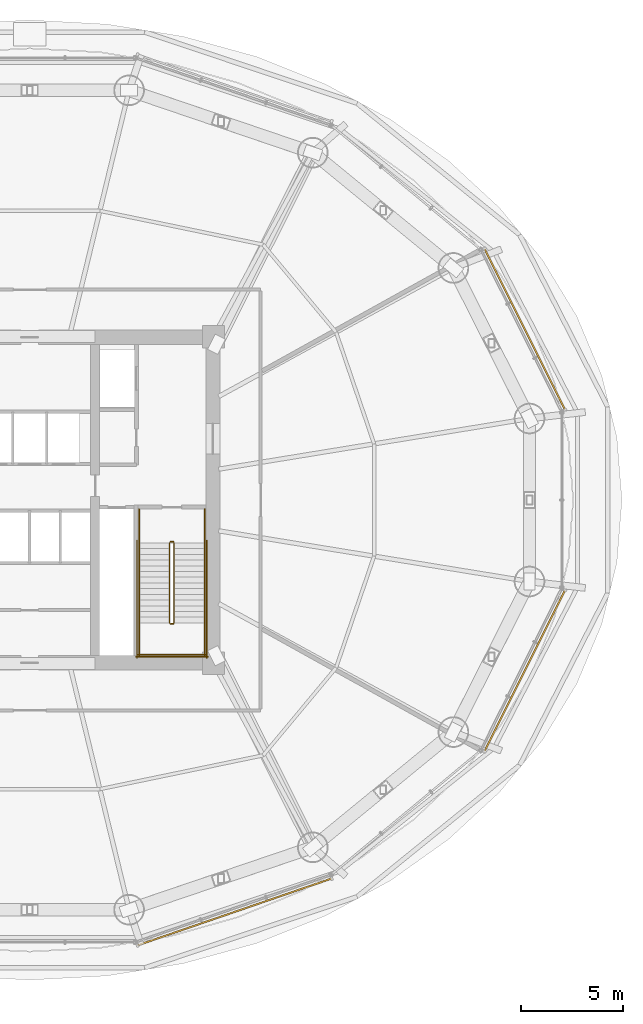
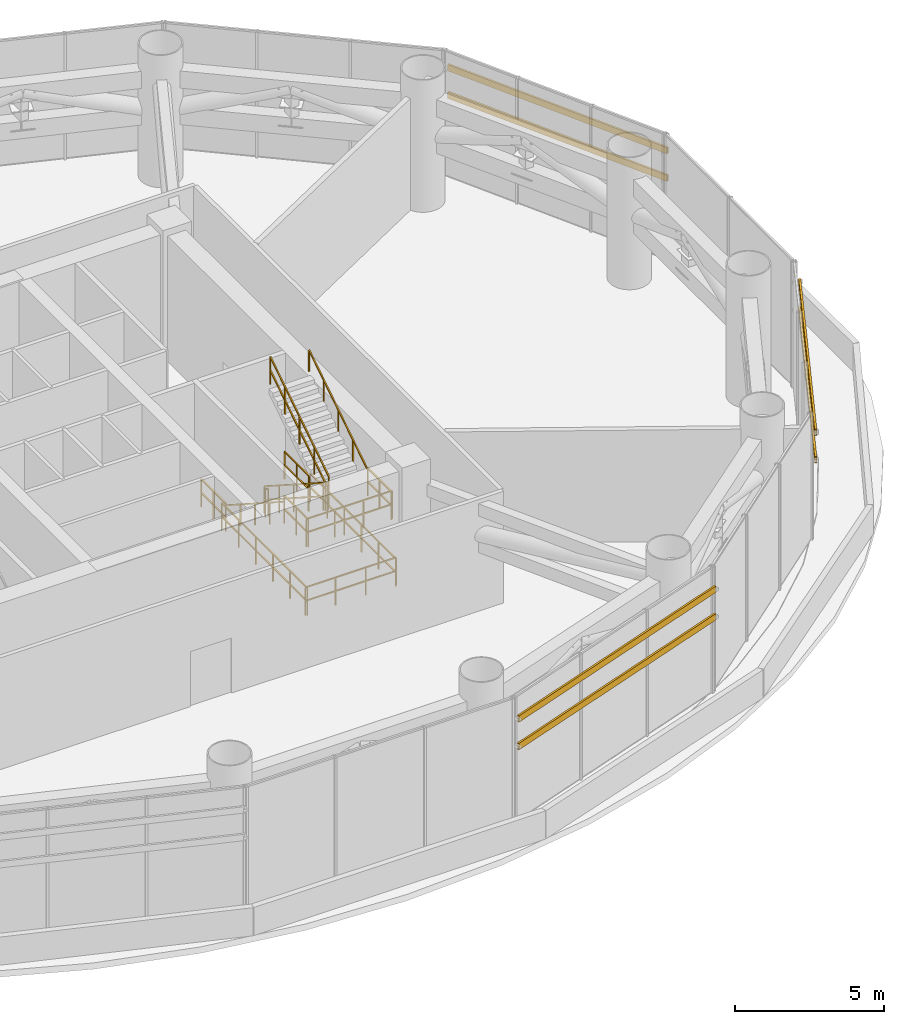
# One storey, part 32 of 33: 14 railings, 6 shading devices.
"""IFC4 building model written with IfcOpenShell, lengths in metres."""

from ifc_helpers import new_model, si_unit, direction, frame, origin, origin_2d, place, context, subcontext, project, spatial, rectangle, hollow_rectangle, extrude, source, transform, mapped, material, material_profile, profile_set, type_object, element, save


model = new_model("IFC4")

# Units and contexts
model_context = context("Model", 3, precision=1e-05, world=origin(), true_north=direction((-0.2419218956, 0.970295726276)))
body_context = subcontext(model_context, "Body", "Model", "MODEL_VIEW")
ifc_project = project(units=[si_unit("LENGTHUNIT", "METRE"), si_unit("AREAUNIT", "SQUARE_METRE"), si_unit("VOLUMEUNIT", "CUBIC_METRE"), si_unit("PLANEANGLEUNIT", "RADIAN"), si_unit("MASSUNIT", "GRAM", prefix="KILO")], contexts=[model_context])

# Site, building, storey
site_placement = place(None, origin())
site = spatial("IfcSite", under=ifc_project, at=site_placement, CompositionType="ELEMENT")
building_placement = place(site_placement, origin())
building = spatial("IfcBuilding", under=site, at=building_placement, Name="Cobrevalo Terracotta Tower", CompositionType="ELEMENT")
storey_placement = place(building_placement, frame((0.0, 0.0, 74.39990234375)))
storey = spatial("IfcBuildingStorey", under=building, at=storey_placement, Name="L19", CompositionType="ELEMENT", Elevation=74.39990234375)

# Railings
ifc_material_1 = material(Name="Brushed stainless steel", Category="steel")
railing_type_1 = type_object("IfcRailingType", Name="Stainless Steel Stair Handrail 900", PredefinedType="HANDRAIL", material=ifc_material_1)
railing_1_placement = place(storey_placement, frame((43.35498046875, 24.699951171875, 0.18017578125)))
element("IfcRailing", 1, at=railing_1_placement, inside=storey, type_object=railing_type_1, Name="L19 ST-2 stair handrail 1", PredefinedType="HANDRAIL", context=body_context, shape_type="SweptSolid", body=[
    extrude(rectangle(XDim=0.048095703125, YDim=0.048095703125, at=origin_2d()), frame((0.0, 0.0, 0.8759765625), z_axis=(0.0, -0.841171666519, 0.540768182723), x_axis=(1.0, 0.0, 0.0)), (0.0, 0.0, 1.0), 4.66015625),
    extrude(rectangle(XDim=0.0419921875, YDim=0.0419921875, at=origin_2d()), origin(), (0.0, 0.0, 1.0), 0.851806640625),
    extrude(rectangle(XDim=0.0419921875, YDim=0.0419921875, at=origin_2d()), frame((0.0, -0.97998046875, 0.6298828125)), (0.0, 0.0, 1.0), 0.851806640625),
    extrude(rectangle(XDim=0.0419921875, YDim=0.0419921875, at=origin_2d()), frame((0.0, -1.9599609375, 1.260009765625)), (0.0, 0.0, 1.0), 0.851806640625),
    extrude(rectangle(XDim=0.0419921875, YDim=0.0419921875, at=origin_2d()), frame((0.0, -2.93994140625, 1.89013671875)), (0.0, 0.0, 1.0), 0.851806640625),
    extrude(rectangle(XDim=0.0419921875, YDim=0.0419921875, at=origin_2d()), frame((0.0, -3.919921875, 2.52001953125)), (0.0, 0.0, 1.0), 0.851806640625),
])
railing_2_placement = place(storey_placement, frame((46.574951171875, 20.780029296875, 2.880126953125)))
element("IfcRailing", 2, at=railing_2_placement, inside=storey, type_object=railing_type_1, Name="L19 ST-2 stair handrail 2", PredefinedType="HANDRAIL", context=body_context, shape_type="SweptSolid", body=[
    extrude(rectangle(XDim=0.048095703125, YDim=0.048095703125, at=origin_2d()), frame((0.0, 0.0, 0.8759765625), z_axis=(0.0, 0.841171666519, 0.540768182723), x_axis=(-1.0, 0.0, 0.0)), (0.0, 0.0, 1.0), 4.66015625),
    extrude(rectangle(XDim=0.0419921875, YDim=0.0419921875, at=origin_2d()), origin(), (0.0, 0.0, 1.0), 0.851806640625),
    extrude(rectangle(XDim=0.0419921875, YDim=0.0419921875, at=origin_2d()), frame((0.0, 0.97998046875, 0.6298828125)), (0.0, 0.0, 1.0), 0.851806640625),
    extrude(rectangle(XDim=0.0419921875, YDim=0.0419921875, at=origin_2d()), frame((0.0, 1.9599609375, 1.260009765625)), (0.0, 0.0, 1.0), 0.851806640625),
    extrude(rectangle(XDim=0.0419921875, YDim=0.0419921875, at=origin_2d()), frame((0.0, 2.93994140625, 1.89013671875)), (0.0, 0.0, 1.0), 0.851806640625),
    extrude(rectangle(XDim=0.0419921875, YDim=0.0419921875, at=origin_2d()), frame((0.0, 3.919921875, 2.52001953125)), (0.0, 0.0, 1.0), 0.851806640625),
])
ifc_material_2 = material(Name="Painted galvanized steel", Category="steel")
railing_type_2 = type_object("IfcRailingType", Name="Stair Well Guard Balustrade 1150", PredefinedType="GUARDRAIL", material=ifc_material_2)
railing_3_placement = place(storey_placement, frame((44.85498046875, 24.699951171875, 0.18017578125)))
element("IfcRailing", 3, at=railing_3_placement, inside=storey, type_object=railing_type_2, Name="L19 ST-2 stair guard 1", PredefinedType="GUARDRAIL", context=body_context, shape_type="SweptSolid", body=[
    extrude(rectangle(XDim=0.048095703125, YDim=0.048095703125, at=origin_2d()), frame((0.0, 0.0, 1.1259765625), z_axis=(0.0, -0.841171666519, 0.540768182723), x_axis=(1.0, 0.0, 0.0)), (0.0, 0.0, 1.0), 4.66015625),
    extrude(rectangle(XDim=0.048095703125, YDim=0.048095703125, at=origin_2d()), frame((0.0, 0.0, 0.574951171875), z_axis=(0.0, -0.841171666519, 0.540768182723), x_axis=(1.0, 0.0, 0.0)), (0.0, 0.0, 1.0), 4.66015625),
    extrude(rectangle(XDim=0.0419921875, YDim=0.0419921875, at=origin_2d()), origin(), (0.0, 0.0, 1.0), 1.101806640625),
    extrude(rectangle(XDim=0.0419921875, YDim=0.0419921875, at=origin_2d()), frame((0.0, -0.97998046875, 0.6298828125)), (0.0, 0.0, 1.0), 1.101806640625),
    extrude(rectangle(XDim=0.0419921875, YDim=0.0419921875, at=origin_2d()), frame((0.0, -1.9599609375, 1.260009765625)), (0.0, 0.0, 1.0), 1.101806640625),
    extrude(rectangle(XDim=0.0419921875, YDim=0.0419921875, at=origin_2d()), frame((0.0, -2.93994140625, 1.89013671875)), (0.0, 0.0, 1.0), 1.101806640625),
    extrude(rectangle(XDim=0.0419921875, YDim=0.0419921875, at=origin_2d()), frame((0.0, -3.919921875, 2.52001953125)), (0.0, 0.0, 1.0), 1.101806640625),
])
railing_4_placement = place(storey_placement, frame((44.905029296875, 20.72998046875, 2.7001953125)))
element("IfcRailing", 4, at=railing_4_placement, inside=storey, type_object=railing_type_2, Name="L19 ST-2 stair guard 2", PredefinedType="GUARDRAIL", context=body_context, shape_type="SweptSolid", body=[
    extrude(rectangle(XDim=0.048095703125, YDim=0.048095703125, at=origin_2d()), frame((0.0, 0.0, 1.1259765625), z_axis=(1.0, 0.0, 0.0), x_axis=(0.0, 1.0, 0.0)), (0.0, 0.0, 1.0), 0.119873046875),
    extrude(rectangle(XDim=0.048095703125, YDim=0.048095703125, at=origin_2d()), frame((0.0, 0.0, 0.574951171875), z_axis=(1.0, 0.0, 0.0), x_axis=(0.0, 1.0, 0.0)), (0.0, 0.0, 1.0), 0.119873046875),
    extrude(rectangle(XDim=0.0419921875, YDim=0.0419921875, at=origin_2d()), origin(), (0.0, 0.0, 1.0), 1.101806640625),
    extrude(rectangle(XDim=0.0419921875, YDim=0.0419921875, at=origin_2d()), frame((0.119873046875, 0.0, 0.0)), (0.0, 0.0, 1.0), 1.101806640625),
])
for number, where, name in (
    (5, (43.35498046875, 20.780029296875, 2.7001953125), "L19 ST-2 stair guard 3"),
    (6, (46.574951171875, 20.780029296875, 2.7001953125), "L19 ST-2 stair guard 4"),
):
    element("IfcRailing", number, at=place(storey_placement, frame(where)), inside=storey, type_object=railing_type_2, Name=name, PredefinedType="GUARDRAIL", context=body_context, shape_type="SweptSolid", body=[
        extrude(rectangle(XDim=0.048095703125, YDim=0.048095703125, at=origin_2d()), frame((0.0, 0.0, 1.1259765625), z_axis=(0.0, -1.0, 0.0), x_axis=(1.0, 0.0, 0.0)), (0.0, 0.0, 1.0), 1.60498046875),
        extrude(rectangle(XDim=0.048095703125, YDim=0.048095703125, at=origin_2d()), frame((0.0, 0.0, 0.574951171875), z_axis=(0.0, -1.0, 0.0), x_axis=(1.0, 0.0, 0.0)), (0.0, 0.0, 1.0), 1.60498046875),
        extrude(rectangle(XDim=0.0419921875, YDim=0.0419921875, at=origin_2d()), origin(), (0.0, 0.0, 1.0), 1.101806640625),
        extrude(rectangle(XDim=0.0419921875, YDim=0.0419921875, at=origin_2d()), frame((0.0, -0.802490234375, 0.0)), (0.0, 0.0, 1.0), 1.101806640625),
        extrude(rectangle(XDim=0.0419921875, YDim=0.0419921875, at=origin_2d()), frame((0.0, -1.60498046875, 0.0)), (0.0, 0.0, 1.0), 1.101806640625),
    ])
railing_5_placement = place(storey_placement, frame((43.304931640625, 19.22509765625, 2.7001953125)))
element("IfcRailing", 7, at=railing_5_placement, inside=storey, type_object=railing_type_2, Name="L19 ST-2 stair guard 5", PredefinedType="GUARDRAIL", context=body_context, shape_type="SweptSolid", body=[
    extrude(rectangle(XDim=0.048095703125, YDim=0.048095703125, at=origin_2d()), frame((0.0, 0.0, 1.1259765625), z_axis=(1.0, 0.0, 0.0), x_axis=(0.0, 1.0, 0.0)), (0.0, 0.0, 1.0), 3.320068359375),
    extrude(rectangle(XDim=0.048095703125, YDim=0.048095703125, at=origin_2d()), frame((0.0, 0.0, 0.574951171875), z_axis=(1.0, 0.0, 0.0), x_axis=(0.0, 1.0, 0.0)), (0.0, 0.0, 1.0), 3.320068359375),
    extrude(rectangle(XDim=0.0419921875, YDim=0.0419921875, at=origin_2d()), origin(), (0.0, 0.0, 1.0), 1.101806640625),
    extrude(rectangle(XDim=0.0419921875, YDim=0.0419921875, at=origin_2d()), frame((1.106689453125, 0.0, 0.0)), (0.0, 0.0, 1.0), 1.101806640625),
    extrude(rectangle(XDim=0.0419921875, YDim=0.0419921875, at=origin_2d()), frame((2.21337890625, 0.0, 0.0)), (0.0, 0.0, 1.0), 1.101806640625),
    extrude(rectangle(XDim=0.0419921875, YDim=0.0419921875, at=origin_2d()), frame((3.320068359375, 0.0, 0.0)), (0.0, 0.0, 1.0), 1.101806640625),
])
railing_6_placement = place(storey_placement, frame((45.074951171875, 20.780029296875, 2.880126953125)))
element("IfcRailing", 8, at=railing_6_placement, inside=storey, type_object=railing_type_2, Name="L19 ST-2 stair guard 6", PredefinedType="GUARDRAIL", context=body_context, shape_type="SweptSolid", body=[
    extrude(rectangle(XDim=0.048095703125, YDim=0.048095703125, at=origin_2d()), frame((0.0, 0.0, 1.1259765625), z_axis=(0.0, 0.841171666519, 0.540768182723), x_axis=(-1.0, 0.0, 0.0)), (0.0, 0.0, 1.0), 4.66015625),
    extrude(rectangle(XDim=0.048095703125, YDim=0.048095703125, at=origin_2d()), frame((0.0, 0.0, 0.574951171875), z_axis=(0.0, 0.841171666519, 0.540768182723), x_axis=(-1.0, 0.0, 0.0)), (0.0, 0.0, 1.0), 4.66015625),
    extrude(rectangle(XDim=0.0419921875, YDim=0.0419921875, at=origin_2d()), origin(), (0.0, 0.0, 1.0), 1.101806640625),
    extrude(rectangle(XDim=0.0419921875, YDim=0.0419921875, at=origin_2d()), frame((0.0, 0.97998046875, 0.6298828125)), (0.0, 0.0, 1.0), 1.101806640625),
    extrude(rectangle(XDim=0.0419921875, YDim=0.0419921875, at=origin_2d()), frame((0.0, 1.9599609375, 1.260009765625)), (0.0, 0.0, 1.0), 1.101806640625),
    extrude(rectangle(XDim=0.0419921875, YDim=0.0419921875, at=origin_2d()), frame((0.0, 2.93994140625, 1.89013671875)), (0.0, 0.0, 1.0), 1.101806640625),
    extrude(rectangle(XDim=0.0419921875, YDim=0.0419921875, at=origin_2d()), frame((0.0, 3.919921875, 2.52001953125)), (0.0, 0.0, 1.0), 1.101806640625),
])
railing_7_placement = place(storey_placement, frame((44.905029296875, 24.75, 0.0)))
element("IfcRailing", 9, at=railing_7_placement, inside=storey, type_object=railing_type_2, Name="L19 ST-2 stair guard 7", PredefinedType="GUARDRAIL", context=body_context, shape_type="SweptSolid", body=[
    extrude(rectangle(XDim=0.048095703125, YDim=0.048095703125, at=origin_2d()), frame((0.0, 0.0, 1.1259765625), z_axis=(1.0, 0.0, 0.0), x_axis=(0.0, 1.0, 0.0)), (0.0, 0.0, 1.0), 0.119873046875),
    extrude(rectangle(XDim=0.048095703125, YDim=0.048095703125, at=origin_2d()), frame((0.0, 0.0, 0.574951171875), z_axis=(1.0, 0.0, 0.0), x_axis=(0.0, 1.0, 0.0)), (0.0, 0.0, 1.0), 0.119873046875),
    extrude(rectangle(XDim=0.0419921875, YDim=0.0419921875, at=origin_2d()), origin(), (0.0, 0.0, 1.0), 1.101806640625),
    extrude(rectangle(XDim=0.0419921875, YDim=0.0419921875, at=origin_2d()), frame((0.119873046875, 0.0, 0.0)), (0.0, 0.0, 1.0), 1.101806640625),
])
for number, where, name in (
    (10, (43.35498046875, 26.35009765625, 0.0), "L19 ST-2 stair guard 8"),
    (11, (46.574951171875, 26.35009765625, 0.0), "L19 ST-2 stair guard 9"),
):
    element("IfcRailing", number, at=place(storey_placement, frame(where)), inside=storey, type_object=railing_type_2, Name=name, PredefinedType="GUARDRAIL", context=body_context, shape_type="SweptSolid", body=[
        extrude(rectangle(XDim=0.048095703125, YDim=0.048095703125, at=origin_2d()), frame((0.0, 0.0, 1.1259765625), z_axis=(0.0, -1.0, 0.0), x_axis=(1.0, 0.0, 0.0)), (0.0, 0.0, 1.0), 1.650146484375),
        extrude(rectangle(XDim=0.048095703125, YDim=0.048095703125, at=origin_2d()), frame((0.0, 0.0, 0.574951171875), z_axis=(0.0, -1.0, 0.0), x_axis=(1.0, 0.0, 0.0)), (0.0, 0.0, 1.0), 1.650146484375),
        extrude(rectangle(XDim=0.0419921875, YDim=0.0419921875, at=origin_2d()), origin(), (0.0, 0.0, 1.0), 1.101806640625),
        extrude(rectangle(XDim=0.0419921875, YDim=0.0419921875, at=origin_2d()), frame((0.0, -0.8251953125, 0.0)), (0.0, 0.0, 1.0), 1.101806640625),
        extrude(rectangle(XDim=0.0419921875, YDim=0.0419921875, at=origin_2d()), frame((0.0, -1.650146484375, 0.0)), (0.0, 0.0, 1.0), 1.101806640625),
    ])
for number, where, name in (
    (12, (43.2548828125, 24.800048828125, 0.0), "L19 ST-2 stair guard 10"),
    (13, (46.675048828125, 24.800048828125, 0.0), "L19 ST-2 stair guard 11"),
):
    element("IfcRailing", number, at=place(storey_placement, frame(where)), inside=storey, type_object=railing_type_2, Name=name, PredefinedType="GUARDRAIL", context=body_context, shape_type="SweptSolid", body=[
        extrude(rectangle(XDim=0.048095703125, YDim=0.048095703125, at=origin_2d()), frame((0.0, 0.0, 1.1259765625), z_axis=(0.0, -1.0, 0.0), x_axis=(1.0, 0.0, 0.0)), (0.0, 0.0, 1.0), 5.72509765625),
        extrude(rectangle(XDim=0.048095703125, YDim=0.048095703125, at=origin_2d()), frame((0.0, 0.0, 0.574951171875), z_axis=(0.0, -1.0, 0.0), x_axis=(1.0, 0.0, 0.0)), (0.0, 0.0, 1.0), 5.72509765625),
        extrude(rectangle(XDim=0.0419921875, YDim=0.0419921875, at=origin_2d()), origin(), (0.0, 0.0, 1.0), 1.101806640625),
        extrude(rectangle(XDim=0.0419921875, YDim=0.0419921875, at=origin_2d()), frame((0.0, -1.14501953125, 0.0)), (0.0, 0.0, 1.0), 1.101806640625),
        extrude(rectangle(XDim=0.0419921875, YDim=0.0419921875, at=origin_2d()), frame((0.0, -2.2900390625, 0.0)), (0.0, 0.0, 1.0), 1.101806640625),
        extrude(rectangle(XDim=0.0419921875, YDim=0.0419921875, at=origin_2d()), frame((0.0, -3.43505859375, 0.0)), (0.0, 0.0, 1.0), 1.101806640625),
        extrude(rectangle(XDim=0.0419921875, YDim=0.0419921875, at=origin_2d()), frame((0.0, -4.580078125, 0.0)), (0.0, 0.0, 1.0), 1.101806640625),
        extrude(rectangle(XDim=0.0419921875, YDim=0.0419921875, at=origin_2d()), frame((0.0, -5.72509765625, 0.0)), (0.0, 0.0, 1.0), 1.101806640625),
    ])
railing_8_placement = place(storey_placement, frame((43.205078125, 19.125, 0.0)))
element("IfcRailing", 14, at=railing_8_placement, inside=storey, type_object=railing_type_2, Name="L19 ST-2 stair guard 12", PredefinedType="GUARDRAIL", context=body_context, shape_type="SweptSolid", body=[
    extrude(rectangle(XDim=0.048095703125, YDim=0.048095703125, at=origin_2d()), frame((0.0, 0.0, 1.1259765625), z_axis=(1.0, 0.0, 0.0), x_axis=(0.0, 1.0, 0.0)), (0.0, 0.0, 1.0), 3.52001953125),
    extrude(rectangle(XDim=0.048095703125, YDim=0.048095703125, at=origin_2d()), frame((0.0, 0.0, 0.574951171875), z_axis=(1.0, 0.0, 0.0), x_axis=(0.0, 1.0, 0.0)), (0.0, 0.0, 1.0), 3.52001953125),
    extrude(rectangle(XDim=0.0419921875, YDim=0.0419921875, at=origin_2d()), origin(), (0.0, 0.0, 1.0), 1.101806640625),
    extrude(rectangle(XDim=0.0419921875, YDim=0.0419921875, at=origin_2d()), frame((1.17333984375, 0.0, 0.0)), (0.0, 0.0, 1.0), 1.101806640625),
    extrude(rectangle(XDim=0.0419921875, YDim=0.0419921875, at=origin_2d()), frame((2.3466796875, 0.0, 0.0)), (0.0, 0.0, 1.0), 1.101806640625),
    extrude(rectangle(XDim=0.0419921875, YDim=0.0419921875, at=origin_2d()), frame((3.52001953125, 0.0, 0.0)), (0.0, 0.0, 1.0), 1.101806640625),
])

# Shading devices
ifc_material_3 = material(Name="Anodized aluminium and terracotta", Category="masonry")
ifc_material_profile = material_profile(ifc_material_3, hollow_rectangle(XDim=0.074951171875, YDim=0.260009765625, WallThickness=0.006103515625, at=origin_2d()), Name="LOUVRE BLADE 75x260")
ifc_profile_set = profile_set([ifc_material_profile], Name="Anodized aluminium and terracotta")
shading_device_type = type_object("IfcShadingDeviceType", Name="Plant Acoustic Weather Louvre Blade 75x260", PredefinedType="USERDEFINED", material=ifc_profile_set)
shared_shape_1 = source(origin(), body_context, "Body", "SweptSolid", [
    extrude(hollow_rectangle(XDim=0.074951171875, YDim=0.260009765625, WallThickness=0.006103515625, at=origin_2d()), origin(), (0.0, 0.0, 1.0), 8.810302734375),
])
for number, where, z_axis, x_axis, name in (
    (15, (64.20263671875, 31.2216796875, 3.177490234375), (-0.446260078548, 0.894903314495, 0.0), (-0.894903314495, -0.446260078548, 0.0), "CW-LV-L19-S01 horizontal terracotta louvre 1"),
    (16, (64.20263671875, 31.2216796875, 4.30517578125), (-0.446260078548, 0.894903314495, 0.0), (-0.894903314495, -0.446260078548, 0.0), "CW-LV-L19-S01 horizontal terracotta louvre 2"),
):
    element("IfcShadingDevice", number, at=place(storey_placement, frame(where, z_axis=z_axis, x_axis=x_axis)), inside=storey, type_object=shading_device_type, Name=name, ObjectType="LOUVRE", PredefinedType="USERDEFINED", context=body_context, shape_type="MappedRepresentation", body=[
        mapped(shared_shape_1, transform((0.0, 0.0, 0.0), scale=1.0)),
    ])
shared_shape_2 = source(origin(), body_context, "Body", "SweptSolid", [
    extrude(hollow_rectangle(XDim=0.074951171875, YDim=0.260009765625, WallThickness=0.006103515625, at=origin_2d()), origin(), (0.0, 0.0, 1.0), 8.81005859375),
])
for number, where, z_axis, x_axis, name in (
    (17, (60.27099609375, 14.494140625, 3.177490234375), (0.446271145496, 0.894897795672, 0.0), (-0.894897795672, 0.446271145496, 0.0), "CW-LV-L19-S15 horizontal terracotta louvre 1"),
    (18, (60.27099609375, 14.494140625, 4.30517578125), (0.446271145496, 0.894897795672, 0.0), (-0.894897795672, 0.446271145496, 0.0), "CW-LV-L19-S15 horizontal terracotta louvre 2"),
):
    element("IfcShadingDevice", number, at=place(storey_placement, frame(where, z_axis=z_axis, x_axis=x_axis)), inside=storey, type_object=shading_device_type, Name=name, ObjectType="LOUVRE", PredefinedType="USERDEFINED", context=body_context, shape_type="MappedRepresentation", body=[
        mapped(shared_shape_2, transform((0.0, 0.0, 0.0), scale=1.0)),
    ])
shared_shape_3 = source(origin(), body_context, "Body", "SweptSolid", [
    extrude(hollow_rectangle(XDim=0.074951171875, YDim=0.260009765625, WallThickness=0.006103515625, at=origin_2d()), origin(), (0.0, 0.0, 1.0), 10.049072265625),
])
for number, where, z_axis, x_axis, name in (
    (19, (43.280029296875, 4.996826171875, 3.177490234375), (0.945590162351, 0.325360177133, 0.0), (-0.325360177133, 0.945590162351, 0.0), "CW-LV-L19-S13 horizontal terracotta louvre 1"),
    (20, (43.280029296875, 4.996826171875, 4.30517578125), (0.945590162351, 0.325360177133, 0.0), (-0.325360177133, 0.945590162351, 0.0), "CW-LV-L19-S13 horizontal terracotta louvre 2"),
):
    element("IfcShadingDevice", number, at=place(storey_placement, frame(where, z_axis=z_axis, x_axis=x_axis)), inside=storey, type_object=shading_device_type, Name=name, ObjectType="LOUVRE", PredefinedType="USERDEFINED", context=body_context, shape_type="MappedRepresentation", body=[
        mapped(shared_shape_3, transform((0.0, 0.0, 0.0), scale=1.0)),
    ])

save(model, "model.ifc")
